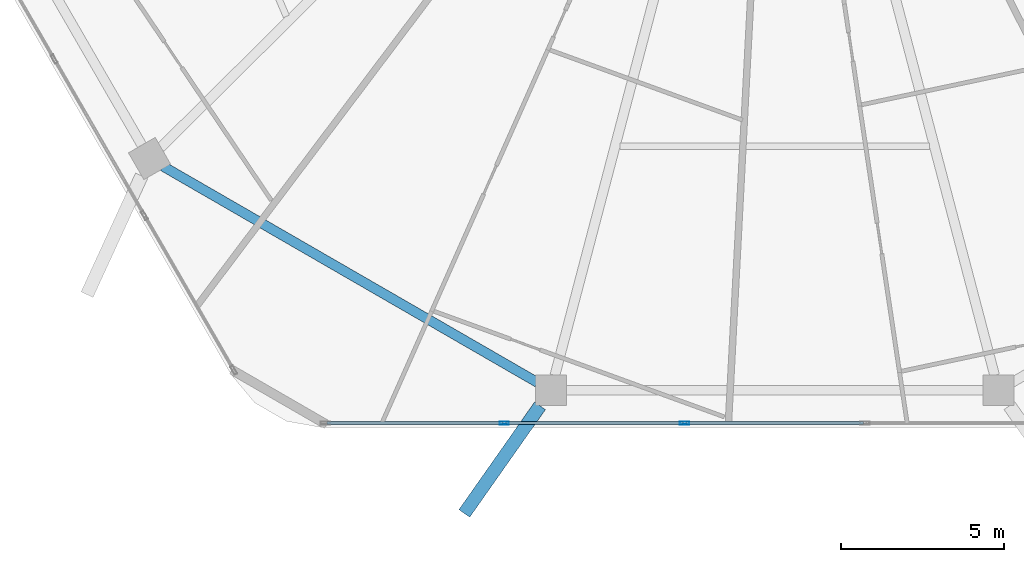
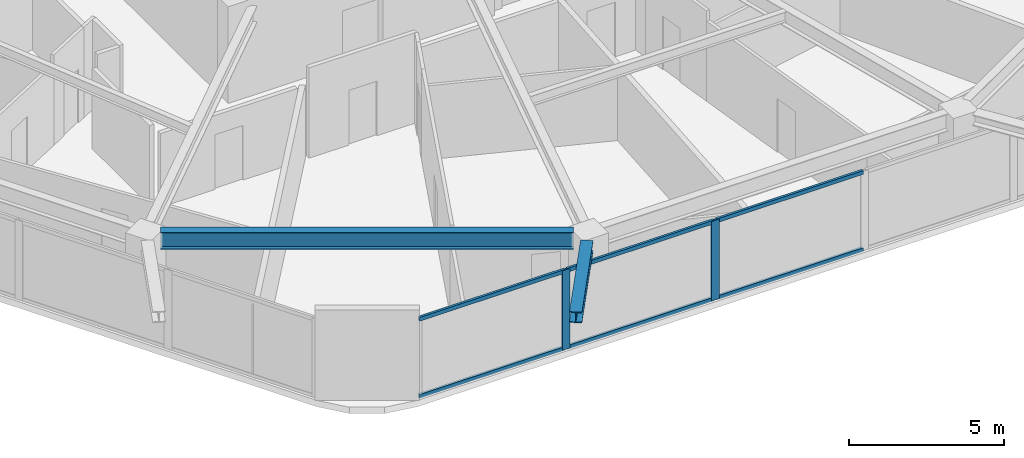
# One storey, part 3 of 27: 8 members, 2 beams, 1 element without a shape of its own.
"""IFC4 building model written with IfcOpenShell, lengths in metres."""

import ifcopenshell
import ifcopenshell.guid

model = None  # the IFC model being written
_history = None  # IfcOwnerHistory: only IFC2X3 demands one
_inside = {}  # id of a spatial element -> (the spatial element, [elements in it])
_under = {}  # id of a project, library or spatial element -> (it, [spatial elements below it])
_declared = {}  # id of a project -> (the project, [libraries it declares])
_typed = {}  # id of a type object -> (the type object, [elements of that type])
_made_of = {}  # id of a material, layer set ... -> (it, [elements and type objects made of it])


def new_model(schema):
    """Start an empty IFC model of exactly this schema.

    Asked for "IFC4X3", IfcOpenShell would pick the latest addendum, in which some entities
    have other attributes; the version numbers below select the first issue.
    IFC2X3 requires an IfcOwnerHistory on every rooted entity: one is made here for all.
    """
    global model, _history
    if schema == "IFC4X3":
        model = ifcopenshell.file(schema_version=(4, 3, 0, 0))
    else:
        model = ifcopenshell.file(schema=schema)
    _inside.clear()
    _under.clear()
    _declared.clear()
    _typed.clear()
    _made_of.clear()
    _history = None
    if model.schema == "IFC2X3":
        org = make("IfcOrganization", Name="unknown")
        user = make(
            "IfcPersonAndOrganization",
            ThePerson=make("IfcPerson", FamilyName="unknown"),
            TheOrganization=org,
        )
        app = make(
            "IfcApplication",
            ApplicationDeveloper=org,
            Version="unknown",
            ApplicationFullName="unknown",
            ApplicationIdentifier="unknown",
        )
        _history = make(
            "IfcOwnerHistory",
            OwningUser=user,
            OwningApplication=app,
            ChangeAction="ADDED",
            CreationDate=0,
        )
    return model


def make(cls, **values):
    """One entity of the class cls with the attributes given. An attribute that is None is left unset."""
    return model.create_entity(
        cls, **{name: value for name, value in values.items() if value is not None}
    )


def rooted(cls, **values):
    """An entity with a GlobalId (a new one), such as an element, a storey or a relation."""
    return make(cls, GlobalId=ifcopenshell.guid.new(), OwnerHistory=_history, **values)


def si_unit(unit_type, name, prefix=None):
    """IfcSIUnit, for example si_unit("LENGTHUNIT", "METRE", prefix="MILLI")."""
    return make("IfcSIUnit", UnitType=unit_type, Prefix=prefix, Name=name)


def assignment(units):
    """IfcUnitAssignment: the units of a project."""
    return None if units is None else make("IfcUnitAssignment", Units=units)


def point(xyz):
    """IfcCartesianPoint."""
    return None if xyz is None else make("IfcCartesianPoint", Coordinates=xyz)


def direction(xyz):
    """IfcDirection."""
    return None if xyz is None else make("IfcDirection", DirectionRatios=xyz)


def frame(location, z_axis=None, x_axis=None):
    """IfcAxis2Placement3D, a coordinate frame: its origin and axes. An axis left out is left unset."""
    return make(
        "IfcAxis2Placement3D",
        Location=point(location),
        Axis=direction(z_axis),
        RefDirection=direction(x_axis),
    )


def frame_2d(location, x_axis=None):
    """IfcAxis2Placement2D, a coordinate frame in the plane: its origin and x axis."""
    return make(
        "IfcAxis2Placement2D", Location=point(location), RefDirection=direction(x_axis)
    )


def origin():
    """The frame at (0, 0, 0) with its axes left unset."""
    return frame((0.0, 0.0, 0.0))


def origin_2d():
    """The frame at (0, 0) in the plane with its x axis left unset."""
    return frame_2d((0.0, 0.0))


def place(relative_to, where):
    """IfcLocalPlacement: puts the frame where relative to a parent placement (None: the world)."""
    return make(
        "IfcLocalPlacement", PlacementRelTo=relative_to, RelativePlacement=where
    )


def context(
    kind, dimensions, precision=None, world=None, true_north=None, identifier=None
):
    """IfcGeometricRepresentationContext, for example the 3D "Model" context."""
    return make(
        "IfcGeometricRepresentationContext",
        ContextIdentifier=identifier,
        ContextType=kind,
        CoordinateSpaceDimension=dimensions,
        Precision=precision,
        WorldCoordinateSystem=world,
        TrueNorth=true_north,
    )


def subcontext(parent, identifier, kind, view, scale=None):
    """IfcGeometricRepresentationSubContext, for example "Body" below "Model"."""
    return make(
        "IfcGeometricRepresentationSubContext",
        ContextIdentifier=identifier,
        ContextType=kind,
        ParentContext=parent,
        TargetScale=scale,
        TargetView=view,
    )


def project(units=None, contexts=None):
    """IfcProject with its units and contexts."""
    return rooted(
        "IfcProject",
        Name="project",
        RepresentationContexts=contexts,
        UnitsInContext=assignment(units),
    )


def spatial(cls, under=None, at=None, **own):
    """A site, building, storey or space (cls), placed at a placement, below another one or the project."""
    s = rooted(cls, ObjectPlacement=at, **own)
    if under is not None:
        _under.setdefault(under.id(), (under, []))[1].append(s)
    return s


def profile(cls, at=None, kind="AREA", **sizes):
    """A parametric profile (cls). Its sizes go by their IFC names, for example OverallWidth=200.0."""
    return make(cls, ProfileType=kind, Position=at, **sizes)


def hollow_rectangle(**sizes):
    """IfcRectangleHollowProfileDef."""
    return profile("IfcRectangleHollowProfileDef", **sizes)


def i_section(**sizes):
    """IfcIShapeProfileDef."""
    return profile("IfcIShapeProfileDef", **sizes)


def extrude(swept, where, along, depth):
    """IfcExtrudedAreaSolid: the profile swept, set in the frame where, extruded along a direction by depth."""
    return make(
        "IfcExtrudedAreaSolid",
        SweptArea=swept,
        Position=where,
        ExtrudedDirection=direction(along),
        Depth=depth,
    )


def shape(context_of_items, identifier, shape_type, items):
    """IfcShapeRepresentation: the items that make up one representation, for example the "Body"."""
    return make(
        "IfcShapeRepresentation",
        ContextOfItems=context_of_items,
        RepresentationIdentifier=identifier,
        RepresentationType=shape_type,
        Items=items,
    )


def material(Name=None, Category=None):
    """IfcMaterial."""
    return make("IfcMaterial", Name=Name, Category=Category)


def material_profile(
    of_material, cross_section, Name=None, Category=None, Priority=None
):
    """IfcMaterialProfile: a cross section and its material."""
    return make(
        "IfcMaterialProfile",
        Name=Name,
        Material=of_material,
        Profile=cross_section,
        Priority=Priority,
        Category=Category,
    )


def profile_set(profiles, Name=None, composite=None):
    """IfcMaterialProfileSet."""
    return make(
        "IfcMaterialProfileSet",
        Name=Name,
        MaterialProfiles=profiles,
        CompositeProfile=composite,
    )


def made_of(thing, what):
    """Note that an element or type object is made of a material, layer set ...; save() writes the relation."""
    if what is not None:
        _made_of.setdefault(what.id(), (what, []))[1].append(thing)
    return thing


def type_object(cls, material=None, **own):
    """A type object (cls), such as IfcWallType, which elements share."""
    return made_of(rooted(cls, **own), material)


def element(
    cls,
    number,
    at=None,
    inside=None,
    cuts=None,
    type_object=None,
    material=None,
    context=None,
    identifier="Body",
    shape_type=None,
    held_by="IfcProductDefinitionShape",
    body=None,
    shapes=None,
    **own,
):
    """One element of the class cls, such as IfcWall. Its Tag is "e" and its number.

    at: its placement. inside: the storey or other place that contains it. cuts: it is an
    opening in that element (IfcRelVoidsElement). A single representation is given by context,
    identifier, shape_type and body (its items); several are given by shapes. held_by: the class
    of the entity that holds the representations. save() writes the other relations.
    """
    e = rooted(cls, Tag="e%d" % number, ObjectPlacement=at, **own)
    if body is not None:
        shapes = [shape(context, identifier, shape_type, body)]
    if shapes is not None:
        e.Representation = make(held_by, Representations=shapes)
    if inside is not None:
        _inside.setdefault(inside.id(), (inside, []))[1].append(e)
    if cuts is not None:
        rooted(
            "IfcRelVoidsElement", RelatingBuildingElement=cuts, RelatedOpeningElement=e
        )
    if type_object is not None:
        _typed.setdefault(type_object.id(), (type_object, []))[1].append(e)
    return made_of(e, material)


def aggregate(whole, parts):
    """IfcRelAggregates: a whole, such as a stair, and the parts it consists of."""
    return rooted("IfcRelAggregates", RelatingObject=whole, RelatedObjects=parts)


def save(model, path):
    """Write the relations noted so far, then the file.

    IfcRelAggregates (storeys below a building ...), IfcRelContainedInSpatialStructure (elements
    in a storey), IfcRelDefinesByType, IfcRelAssociatesMaterial and IfcRelDeclares: one each for
    every whole, place, type object, material and project.
    """
    for whole, parts in _under.values():
        aggregate(whole, parts)
    for where, things in _inside.values():
        rooted(
            "IfcRelContainedInSpatialStructure",
            RelatedElements=things,
            RelatingStructure=where,
        )
    for kind, things in _typed.values():
        rooted("IfcRelDefinesByType", RelatedObjects=things, RelatingType=kind)
    for what, things in _made_of.values():
        rooted("IfcRelAssociatesMaterial", RelatedObjects=things, RelatingMaterial=what)
    for by, libraries in _declared.values():
        rooted("IfcRelDeclares", RelatingContext=by, RelatedDefinitions=libraries)
    model.write(path)


model = new_model("IFC4")

# Units and contexts
model_context = context("Model", 3, precision=1e-05, world=origin(), true_north=direction((0.0, 1.0)))
body_context = subcontext(model_context, "Body", "Model", "MODEL_VIEW")
ifc_project = project(units=[si_unit("LENGTHUNIT", "METRE"), si_unit("AREAUNIT", "SQUARE_METRE"), si_unit("VOLUMEUNIT", "CUBIC_METRE"), si_unit("PLANEANGLEUNIT", "RADIAN"), si_unit("MASSUNIT", "GRAM", prefix="KILO")], contexts=[model_context])

# Site, building, storey
site_placement = place(None, origin())
site = spatial("IfcSite", under=ifc_project, at=site_placement, CompositionType="ELEMENT")
building_placement = place(site_placement, origin())
building = spatial("IfcBuilding", under=site, at=building_placement, Name="Zuhravey Tower", CompositionType="ELEMENT")
storey_placement = place(building_placement, frame((0.0, 0.0, 188.39990234375)))
storey = spatial("IfcBuildingStorey", under=building, at=storey_placement, Name="L47", CompositionType="ELEMENT", Elevation=188.39990234375)

# Curtain wall, members
ifc_material_1 = material(Name="Thermally broken anodised aluminium", Category="aluminium")
curtain_wall_type = type_object("IfcCurtainWallType", Name="Zone 1-2 Residential Curtain Wall CW3", PredefinedType="NOTDEFINED", material=ifc_material_1)
curtain_wall_placement = place(storey_placement, origin())
curtain_wall = element("IfcCurtainWall", 1, at=curtain_wall_placement, inside=storey, type_object=curtain_wall_type, Name="L47 CW3 CW-L47-F5-1", PredefinedType="NOTDEFINED")
ifc_material_2 = material(Name="Anodised aluminium", Category="aluminium")
ifc_material_profile_1 = material_profile(ifc_material_2, hollow_rectangle(XDim=0.090087890625, YDim=0.284912109375, WallThickness=0.0048828125, at=origin_2d()), Name="ALU-RHS-90x285x5")
ifc_profile_set_1 = profile_set([ifc_material_profile_1], Name="Anodised aluminium")
member_type_1 = type_object("IfcMemberType", Name="Curtain-Wall Mullion 90x180", PredefinedType="MULLION", material=ifc_profile_set_1)
member_1_placement = place(storey_placement, frame((33.227783203125, 4.81689453125, 0.0), z_axis=(0.0, 0.0, 1.0), x_axis=(0.0, -1.0, 0.0)))
member_1 = element("IfcMember", 2, at=member_1_placement, type_object=member_type_1, Name="CW3 mullion 4", PredefinedType="MULLION", context=body_context, shape_type="SweptSolid", body=[
    extrude(hollow_rectangle(XDim=0.090087890625, YDim=0.284912109375, WallThickness=0.0048828125, at=origin_2d()), origin(), (0.0, 0.0, 1.0), 3.1220703125),
])
member_2_placement = place(storey_placement, frame((27.683349609375, 4.81689453125, 0.0), z_axis=(0.0, 0.0, 1.0), x_axis=(0.0, -1.0, 0.0)))
member_2 = element("IfcMember", 3, at=member_2_placement, type_object=member_type_1, Name="CW3 mullion 5", PredefinedType="MULLION", context=body_context, shape_type="SweptSolid", body=[
    extrude(hollow_rectangle(XDim=0.090087890625, YDim=0.284912109375, WallThickness=0.0048828125, at=origin_2d()), origin(), (0.0, 0.0, 1.0), 3.1220703125),
])
ifc_material_profile_2 = material_profile(ifc_material_2, hollow_rectangle(XDim=0.090087890625, YDim=0.14990234375, WallThickness=0.0048828125, at=origin_2d()), Name="ALU-RHS-90x150x5")
ifc_profile_set_2 = profile_set([ifc_material_profile_2], Name="Anodised aluminium")
member_type_2 = type_object("IfcMemberType", Name="Curtain-Wall Transom 90x150", PredefinedType="USERDEFINED", material=ifc_profile_set_2)
member_3_placement = place(storey_placement, frame((38.727294921875, 4.81689453125, 0.045166015625), z_axis=(-1.0, 0.0, 0.0), x_axis=(0.0, -1.0, 0.0)))
member_3 = element("IfcMember", 4, at=member_3_placement, type_object=member_type_2, Name="CW3 transom 3.1", ObjectType="TRANSOM", PredefinedType="USERDEFINED", context=body_context, shape_type="SweptSolid", body=[
    extrude(hollow_rectangle(XDim=0.090087890625, YDim=0.14990234375, WallThickness=0.0048828125, at=origin_2d()), origin(), (0.0, 0.0, 1.0), 5.45458984375),
])
member_4_placement = place(storey_placement, frame((38.727294921875, 4.81689453125, 3.0771484375), z_axis=(-1.0, 0.0, 0.0), x_axis=(0.0, -1.0, 0.0)))
member_4 = element("IfcMember", 5, at=member_4_placement, type_object=member_type_2, Name="CW3 transom 3.2", ObjectType="TRANSOM", PredefinedType="USERDEFINED", context=body_context, shape_type="SweptSolid", body=[
    extrude(hollow_rectangle(XDim=0.090087890625, YDim=0.14990234375, WallThickness=0.0048828125, at=origin_2d()), origin(), (0.0, 0.0, 1.0), 5.45458984375),
])
member_5_placement = place(storey_placement, frame((33.182861328125, 4.81689453125, 0.045166015625), z_axis=(-1.0, 0.0, 0.0), x_axis=(0.0, -1.0, 0.0)))
member_5 = element("IfcMember", 6, at=member_5_placement, type_object=member_type_2, Name="CW3 transom 4.1", ObjectType="TRANSOM", PredefinedType="USERDEFINED", context=body_context, shape_type="SweptSolid", body=[
    extrude(hollow_rectangle(XDim=0.090087890625, YDim=0.14990234375, WallThickness=0.0048828125, at=origin_2d()), origin(), (0.0, 0.0, 1.0), 5.45458984375),
])
member_6_placement = place(storey_placement, frame((33.182861328125, 4.81689453125, 3.0771484375), z_axis=(-1.0, 0.0, 0.0), x_axis=(0.0, -1.0, 0.0)))
member_6 = element("IfcMember", 7, at=member_6_placement, type_object=member_type_2, Name="CW3 transom 4.2", ObjectType="TRANSOM", PredefinedType="USERDEFINED", context=body_context, shape_type="SweptSolid", body=[
    extrude(hollow_rectangle(XDim=0.090087890625, YDim=0.14990234375, WallThickness=0.0048828125, at=origin_2d()), origin(), (0.0, 0.0, 1.0), 5.45458984375),
])
member_7_placement = place(storey_placement, frame((27.638427734375, 4.81689453125, 0.045166015625), z_axis=(-1.0, 0.0, 0.0), x_axis=(0.0, -1.0, 0.0)))
member_7 = element("IfcMember", 8, at=member_7_placement, type_object=member_type_2, Name="CW3 transom 5.1", ObjectType="TRANSOM", PredefinedType="USERDEFINED", context=body_context, shape_type="SweptSolid", body=[
    extrude(hollow_rectangle(XDim=0.090087890625, YDim=0.14990234375, WallThickness=0.0048828125, at=origin_2d()), origin(), (0.0, 0.0, 1.0), 5.409423828125),
])
member_8_placement = place(storey_placement, frame((27.638427734375, 4.81689453125, 3.0771484375), z_axis=(-1.0, 0.0, 0.0), x_axis=(0.0, -1.0, 0.0)))
member_8 = element("IfcMember", 9, at=member_8_placement, type_object=member_type_2, Name="CW3 transom 5.2", ObjectType="TRANSOM", PredefinedType="USERDEFINED", context=body_context, shape_type="SweptSolid", body=[
    extrude(hollow_rectangle(XDim=0.090087890625, YDim=0.14990234375, WallThickness=0.0048828125, at=origin_2d()), origin(), (0.0, 0.0, 1.0), 5.409423828125),
])
aggregate(curtain_wall, [member_1, member_2, member_3, member_4, member_5, member_6, member_7, member_8])

# Beams
ifc_material_3 = material(Name="Steel SM460", Category="steel")
ifc_material_profile_3 = material_profile(ifc_material_3, i_section(OverallWidth=0.406982421875, OverallDepth=0.427978515625, WebThickness=0.02001953125, FlangeThickness=0.034912109375, at=origin_2d()), Name="H-428x407x20x35")
ifc_profile_set_3 = profile_set([ifc_material_profile_3], Name="Steel SM460")
beam_type_1 = type_object("IfcBeamType", Name="Exoskeleton Node Tie Beam H428x407", PredefinedType="BEAM", material=ifc_profile_set_3)
beam_1_placement = place(storey_placement, frame((28.781494140625, 5.3486328125, 3.336181640625), z_axis=(-0.57531553611, -0.817931558207, 0.0), x_axis=(0.817931558207, -0.57531553611, 0.0)))
element("IfcBeam", 10, at=beam_1_placement, inside=storey, type_object=beam_type_1, Name="L47 Exoskeleton Node Tie NT1-09", PredefinedType="BEAM", context=body_context, shape_type="SweptSolid", body=[
    extrude(i_section(OverallWidth=0.406982421875, OverallDepth=0.427978515625, WebThickness=0.02001953125, FlangeThickness=0.034912109375, at=origin_2d()), origin(), (0.0, 0.0, 1.0), 4.04638671875),
])
ifc_material_4 = material(Name="Steel SM355", Category="steel")
ifc_material_profile_4 = material_profile(ifc_material_4, i_section(OverallWidth=0.300048828125, OverallDepth=0.679931640625, WebThickness=0.012939453125, FlangeThickness=0.02197265625, at=origin_2d()), Name="H-680x300x13x22")
ifc_profile_set_4 = profile_set([ifc_material_profile_4], Name="Steel SM355")
beam_type_2 = type_object("IfcBeamType", Name="Perimeter Ring Beam H680x300", PredefinedType="BEAM", material=ifc_profile_set_4)
beam_2_placement = place(storey_placement, frame((17.1884765625, 12.71435546875, 3.210205078125), z_axis=(0.866029041019, -0.499993700073, 0.0), x_axis=(0.499993700073, 0.866029041019, 0.0)))
element("IfcBeam", 11, at=beam_2_placement, inside=storey, type_object=beam_type_2, Name="L47 PB2 BM-L47-PB-08", PredefinedType="BEAM", context=body_context, shape_type="SweptSolid", body=[
    extrude(i_section(OverallWidth=0.300048828125, OverallDepth=0.679931640625, WebThickness=0.012939453125, FlangeThickness=0.02197265625, at=origin_2d()), origin(), (0.0, 0.0, 1.0), 13.297119140625),
])

save(model, "model.ifc")
